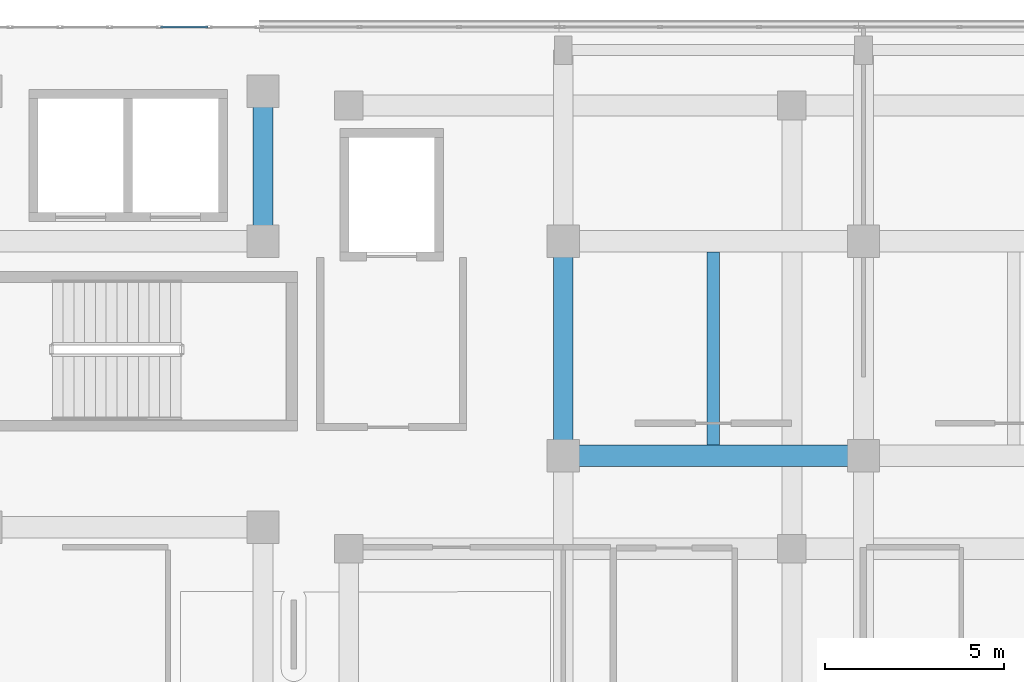
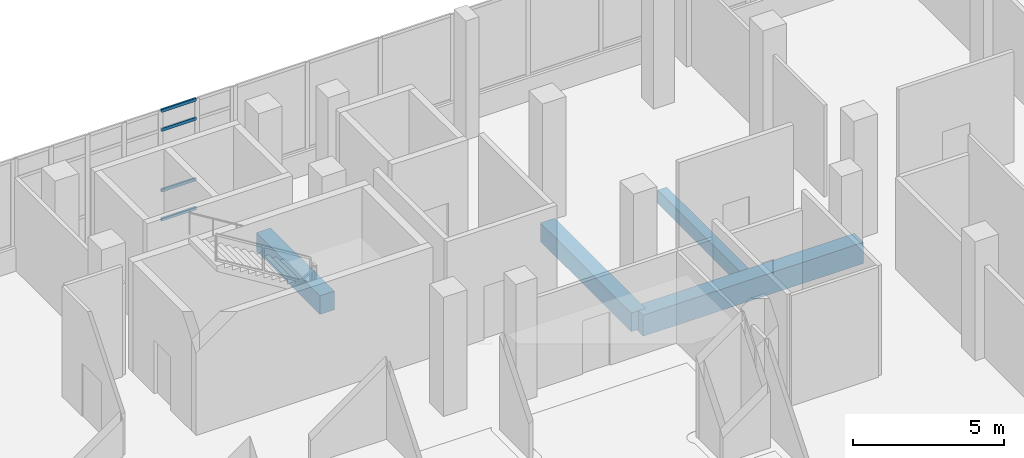
# One storey, part 83 of 168: 4 beams, 4 members, 1 element without a shape of its own.
"""IFC4 building model written with IfcOpenShell, lengths in metres."""

from ifc_helpers import new_model, si_unit, direction, frame, origin, origin_2d, place, context, subcontext, project, spatial, rectangle, hollow_rectangle, extrude, material, material_profile, profile_set, type_object, element, aggregate, save


model = new_model("IFC4")

# Units and contexts
model_context = context("Model", 3, precision=1e-05, world=origin(), true_north=direction((0.0, 1.0)))
body_context = subcontext(model_context, "Body", "Model", "MODEL_VIEW")
ifc_project = project(units=[si_unit("LENGTHUNIT", "METRE"), si_unit("AREAUNIT", "SQUARE_METRE"), si_unit("VOLUMEUNIT", "CUBIC_METRE"), si_unit("PLANEANGLEUNIT", "RADIAN"), si_unit("MASSUNIT", "GRAM", prefix="KILO")], contexts=[model_context])

# Site, building, storey
site_placement = place(None, origin())
site = spatial("IfcSite", under=ifc_project, at=site_placement, CompositionType="ELEMENT")
building_placement = place(site_placement, origin())
building = spatial("IfcBuilding", under=site, at=building_placement, Name="Selatvlak General Hospital", CompositionType="ELEMENT")
storey_placement = place(building_placement, frame((0.0, 0.0, 5.39990234375)))
storey = spatial("IfcBuildingStorey", under=building, at=storey_placement, Name="L01", CompositionType="ELEMENT", Elevation=5.39990234375)

# Beams
ifc_material_1 = material(Name="Concrete C40/50", Category="concrete")
ifc_material_profile_1 = material_profile(ifc_material_1, rectangle(XDim=0.60009765625, YDim=0.85009765625, at=origin_2d()), Name="RC-BM 600x850")
ifc_profile_set_1 = profile_set([ifc_material_profile_1], Name="Concrete C40/50")
beam_type_1 = type_object("IfcBeamType", Name="BM-G01", PredefinedType="BEAM", material=ifc_profile_set_1)
beam_1_placement = place(storey_placement, frame((64.800048828125, 108.0, -0.744873046875), z_axis=(1.0, 0.0, 0.0), x_axis=(0.0, 1.0, 0.0)))
element("IfcBeam", 1, at=beam_1_placement, inside=storey, type_object=beam_type_1, Name="Beam BMR-L01-0501", PredefinedType="BEAM", context=body_context, shape_type="SweptSolid", body=[
    extrude(rectangle(XDim=0.60009765625, YDim=0.85009765625, at=origin_2d()), origin(), (0.0, 0.0, 1.0), 8.39990234375),
])
ifc_material_profile_2 = material_profile(ifc_material_1, rectangle(XDim=0.550048828125, YDim=0.75, at=origin_2d()), Name="RC-BM 550x750")
ifc_profile_set_2 = profile_set([ifc_material_profile_2], Name="Concrete C40/50")
beam_type_2 = type_object("IfcBeamType", Name="BM-G02", PredefinedType="BEAM", material=ifc_profile_set_2)
beam_2_placement = place(storey_placement, frame((56.39990234375, 114.0, -0.69482421875), z_axis=(0.0, 1.0, 0.0), x_axis=(-1.0, 0.0, 0.0)))
element("IfcBeam", 2, at=beam_2_placement, inside=storey, type_object=beam_type_2, Name="Beam BMR-L01-0577", PredefinedType="BEAM", context=body_context, shape_type="SweptSolid", body=[
    extrude(rectangle(XDim=0.550048828125, YDim=0.75, at=origin_2d()), origin(), (0.0, 0.0, 1.0), 4.199951171875),
])
beam_3_placement = place(storey_placement, frame((64.800048828125, 108.0, -0.69482421875), z_axis=(0.0, 1.0, 0.0), x_axis=(-1.0, 0.0, 0.0)))
element("IfcBeam", 3, at=beam_3_placement, inside=storey, type_object=beam_type_2, Name="Beam BMR-L01-0584", PredefinedType="BEAM", context=body_context, shape_type="SweptSolid", body=[
    extrude(rectangle(XDim=0.550048828125, YDim=0.75, at=origin_2d()), origin(), (0.0, 0.0, 1.0), 6.0),
])
ifc_material_profile_3 = material_profile(ifc_material_1, rectangle(XDim=0.35009765625, YDim=0.550048828125, at=origin_2d()), Name="RC-BM 350x550")
ifc_profile_set_3 = profile_set([ifc_material_profile_3], Name="Concrete C40/50")
beam_type_3 = type_object("IfcBeamType", Name="BM-J01", PredefinedType="JOIST", material=ifc_profile_set_3)
beam_4_placement = place(storey_placement, frame((69.0, 108.300048828125, -0.594970703125), z_axis=(0.0, 1.0, 0.0), x_axis=(-1.0, 0.0, 0.0)))
element("IfcBeam", 4, at=beam_4_placement, inside=storey, type_object=beam_type_3, Name="Beam BMR-L01-0702", PredefinedType="JOIST", context=body_context, shape_type="SweptSolid", body=[
    extrude(rectangle(XDim=0.35009765625, YDim=0.550048828125, at=origin_2d()), origin(), (0.0, 0.0, 1.0), 5.39990234375),
])

# Curtain wall, members
ifc_material_2 = material(Name="Solar-control Low-E double glazing", Category="glass")
curtain_wall_type = type_object("IfcCurtainWallType", Name="CW-CW-04", PredefinedType="USERDEFINED", material=ifc_material_2)
curtain_wall_placement = place(storey_placement, origin())
curtain_wall = element("IfcCurtainWall", 5, at=curtain_wall_placement, inside=storey, type_object=curtain_wall_type, Name="Glazed facade curtain wall CW-L01-0116", ObjectType="STICK GLAZING WALL", PredefinedType="USERDEFINED")
ifc_material_3 = material(Name="Dark anodised aluminium mullion", Category="aluminium")
ifc_material_profile_4 = material_profile(ifc_material_3, hollow_rectangle(XDim=0.06494140625, YDim=0.1201171875, WallThickness=0.00390625, at=origin_2d()), Name="AL-TRN 65x120x4")
ifc_profile_set_4 = profile_set([ifc_material_profile_4], Name="Dark anodised aluminium mullion")
member_type = type_object("IfcMemberType", Name="CWT-01", PredefinedType="USERDEFINED", material=ifc_profile_set_4)
member_1_placement = place(storey_placement, frame((53.5341796875, 119.9990234375, 0.03271484375), z_axis=(1.0, 0.0, 0.0), x_axis=(0.0, 1.0, 0.0)))
member_1 = element("IfcMember", 6, at=member_1_placement, type_object=member_type, Name="CW-04 transom 5.1", ObjectType="TRANSOM", PredefinedType="USERDEFINED", context=body_context, shape_type="SweptSolid", body=[
    extrude(hollow_rectangle(XDim=0.06494140625, YDim=0.1201171875, WallThickness=0.00390625, at=origin_2d()), origin(), (0.0, 0.0, 1.0), 1.32666015625),
])
member_2_placement = place(storey_placement, frame((53.5341796875, 119.9990234375, 1.2001953125), z_axis=(1.0, 0.0, 0.0), x_axis=(0.0, 1.0, 0.0)))
member_2 = element("IfcMember", 7, at=member_2_placement, type_object=member_type, Name="CW-04 transom 5.2", ObjectType="TRANSOM", PredefinedType="USERDEFINED", context=body_context, shape_type="SweptSolid", body=[
    extrude(hollow_rectangle(XDim=0.06494140625, YDim=0.1201171875, WallThickness=0.00390625, at=origin_2d()), origin(), (0.0, 0.0, 1.0), 1.32666015625),
])
member_3_placement = place(storey_placement, frame((53.5341796875, 119.9990234375, 3.64501953125), z_axis=(1.0, 0.0, 0.0), x_axis=(0.0, 1.0, 0.0)))
member_3 = element("IfcMember", 8, at=member_3_placement, type_object=member_type, Name="CW-04 transom 5.3", ObjectType="TRANSOM", PredefinedType="USERDEFINED", context=body_context, shape_type="SweptSolid", body=[
    extrude(hollow_rectangle(XDim=0.06494140625, YDim=0.1201171875, WallThickness=0.00390625, at=origin_2d()), origin(), (0.0, 0.0, 1.0), 1.32666015625),
])
member_4_placement = place(storey_placement, frame((53.5341796875, 119.9990234375, 4.41259765625), z_axis=(1.0, 0.0, 0.0), x_axis=(0.0, 1.0, 0.0)))
member_4 = element("IfcMember", 9, at=member_4_placement, type_object=member_type, Name="CW-04 transom 5.4", ObjectType="TRANSOM", PredefinedType="USERDEFINED", context=body_context, shape_type="SweptSolid", body=[
    extrude(hollow_rectangle(XDim=0.06494140625, YDim=0.1201171875, WallThickness=0.00390625, at=origin_2d()), origin(), (0.0, 0.0, 1.0), 1.32666015625),
])
aggregate(curtain_wall, [member_1, member_2, member_3, member_4])

save(model, "model.ifc")
